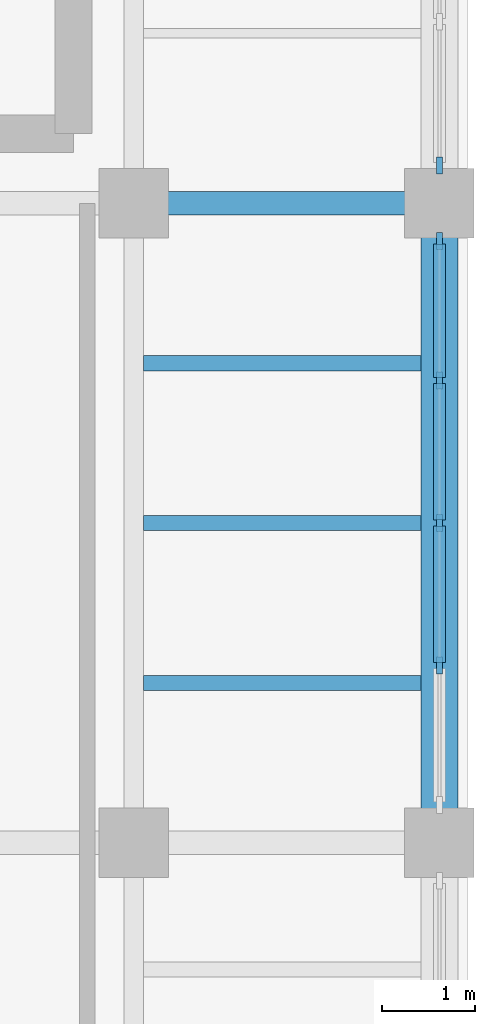
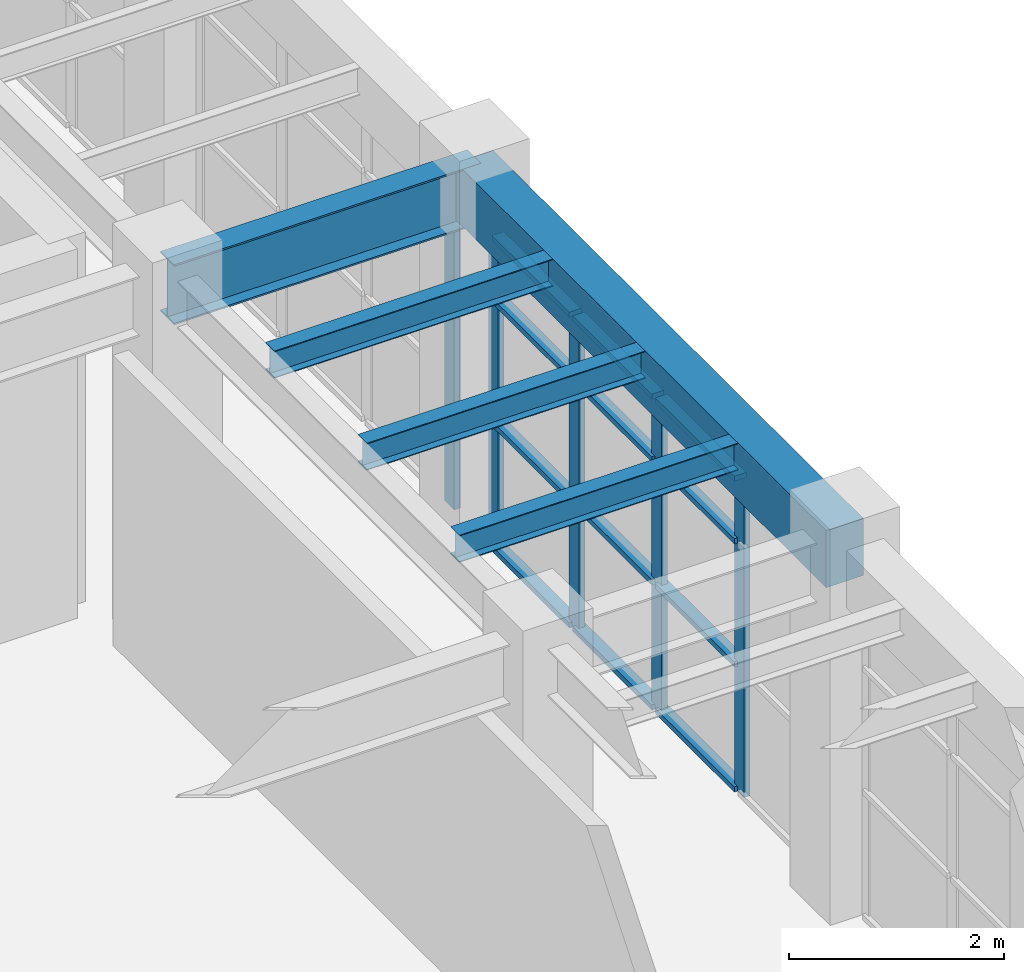
# One storey, part 41 of 85: 17 members, 5 beams, 2 elements without a shape of their own.
"""IFC4 building model written with IfcOpenShell, lengths in metres."""

import ifcopenshell
import ifcopenshell.guid

model = None  # the IFC model being written
_history = None  # IfcOwnerHistory: only IFC2X3 demands one
_inside = {}  # id of a spatial element -> (the spatial element, [elements in it])
_under = {}  # id of a project, library or spatial element -> (it, [spatial elements below it])
_declared = {}  # id of a project -> (the project, [libraries it declares])
_typed = {}  # id of a type object -> (the type object, [elements of that type])
_made_of = {}  # id of a material, layer set ... -> (it, [elements and type objects made of it])


def new_model(schema):
    """Start an empty IFC model of exactly this schema.

    Asked for "IFC4X3", IfcOpenShell would pick the latest addendum, in which some entities
    have other attributes; the version numbers below select the first issue.
    IFC2X3 requires an IfcOwnerHistory on every rooted entity: one is made here for all.
    """
    global model, _history
    if schema == "IFC4X3":
        model = ifcopenshell.file(schema_version=(4, 3, 0, 0))
    else:
        model = ifcopenshell.file(schema=schema)
    _inside.clear()
    _under.clear()
    _declared.clear()
    _typed.clear()
    _made_of.clear()
    _history = None
    if model.schema == "IFC2X3":
        org = make("IfcOrganization", Name="unknown")
        user = make(
            "IfcPersonAndOrganization",
            ThePerson=make("IfcPerson", FamilyName="unknown"),
            TheOrganization=org,
        )
        app = make(
            "IfcApplication",
            ApplicationDeveloper=org,
            Version="unknown",
            ApplicationFullName="unknown",
            ApplicationIdentifier="unknown",
        )
        _history = make(
            "IfcOwnerHistory",
            OwningUser=user,
            OwningApplication=app,
            ChangeAction="ADDED",
            CreationDate=0,
        )
    return model


def make(cls, **values):
    """One entity of the class cls with the attributes given. An attribute that is None is left unset."""
    return model.create_entity(
        cls, **{name: value for name, value in values.items() if value is not None}
    )


def rooted(cls, **values):
    """An entity with a GlobalId (a new one), such as an element, a storey or a relation."""
    return make(cls, GlobalId=ifcopenshell.guid.new(), OwnerHistory=_history, **values)


def si_unit(unit_type, name, prefix=None):
    """IfcSIUnit, for example si_unit("LENGTHUNIT", "METRE", prefix="MILLI")."""
    return make("IfcSIUnit", UnitType=unit_type, Prefix=prefix, Name=name)


def assignment(units):
    """IfcUnitAssignment: the units of a project."""
    return None if units is None else make("IfcUnitAssignment", Units=units)


def point(xyz):
    """IfcCartesianPoint."""
    return None if xyz is None else make("IfcCartesianPoint", Coordinates=xyz)


def direction(xyz):
    """IfcDirection."""
    return None if xyz is None else make("IfcDirection", DirectionRatios=xyz)


def frame(location, z_axis=None, x_axis=None):
    """IfcAxis2Placement3D, a coordinate frame: its origin and axes. An axis left out is left unset."""
    return make(
        "IfcAxis2Placement3D",
        Location=point(location),
        Axis=direction(z_axis),
        RefDirection=direction(x_axis),
    )


def frame_2d(location, x_axis=None):
    """IfcAxis2Placement2D, a coordinate frame in the plane: its origin and x axis."""
    return make(
        "IfcAxis2Placement2D", Location=point(location), RefDirection=direction(x_axis)
    )


def origin():
    """The frame at (0, 0, 0) with its axes left unset."""
    return frame((0.0, 0.0, 0.0))


def origin_2d():
    """The frame at (0, 0) in the plane with its x axis left unset."""
    return frame_2d((0.0, 0.0))


def place(relative_to, where):
    """IfcLocalPlacement: puts the frame where relative to a parent placement (None: the world)."""
    return make(
        "IfcLocalPlacement", PlacementRelTo=relative_to, RelativePlacement=where
    )


def context(
    kind, dimensions, precision=None, world=None, true_north=None, identifier=None
):
    """IfcGeometricRepresentationContext, for example the 3D "Model" context."""
    return make(
        "IfcGeometricRepresentationContext",
        ContextIdentifier=identifier,
        ContextType=kind,
        CoordinateSpaceDimension=dimensions,
        Precision=precision,
        WorldCoordinateSystem=world,
        TrueNorth=true_north,
    )


def subcontext(parent, identifier, kind, view, scale=None):
    """IfcGeometricRepresentationSubContext, for example "Body" below "Model"."""
    return make(
        "IfcGeometricRepresentationSubContext",
        ContextIdentifier=identifier,
        ContextType=kind,
        ParentContext=parent,
        TargetScale=scale,
        TargetView=view,
    )


def project(units=None, contexts=None):
    """IfcProject with its units and contexts."""
    return rooted(
        "IfcProject",
        Name="project",
        RepresentationContexts=contexts,
        UnitsInContext=assignment(units),
    )


def spatial(cls, under=None, at=None, **own):
    """A site, building, storey or space (cls), placed at a placement, below another one or the project."""
    s = rooted(cls, ObjectPlacement=at, **own)
    if under is not None:
        _under.setdefault(under.id(), (under, []))[1].append(s)
    return s


def profile(cls, at=None, kind="AREA", **sizes):
    """A parametric profile (cls). Its sizes go by their IFC names, for example OverallWidth=200.0."""
    return make(cls, ProfileType=kind, Position=at, **sizes)


def rectangle(**sizes):
    """IfcRectangleProfileDef."""
    return profile("IfcRectangleProfileDef", **sizes)


def i_section(**sizes):
    """IfcIShapeProfileDef."""
    return profile("IfcIShapeProfileDef", **sizes)


def extrude(swept, where, along, depth):
    """IfcExtrudedAreaSolid: the profile swept, set in the frame where, extruded along a direction by depth."""
    return make(
        "IfcExtrudedAreaSolid",
        SweptArea=swept,
        Position=where,
        ExtrudedDirection=direction(along),
        Depth=depth,
    )


def shape(context_of_items, identifier, shape_type, items):
    """IfcShapeRepresentation: the items that make up one representation, for example the "Body"."""
    return make(
        "IfcShapeRepresentation",
        ContextOfItems=context_of_items,
        RepresentationIdentifier=identifier,
        RepresentationType=shape_type,
        Items=items,
    )


def material(Name=None, Category=None):
    """IfcMaterial."""
    return make("IfcMaterial", Name=Name, Category=Category)


def layer(
    of_material, thickness, ventilated=None, Name=None, Category=None, Priority=None
):
    """IfcMaterialLayer: one layer of a wall or slab, of a material (None: an air gap)."""
    return make(
        "IfcMaterialLayer",
        Material=of_material,
        LayerThickness=thickness,
        IsVentilated=ventilated,
        Name=Name,
        Category=Category,
        Priority=Priority,
    )


def layer_set(layers, Name=None):
    """IfcMaterialLayerSet."""
    return make("IfcMaterialLayerSet", MaterialLayers=layers, LayerSetName=Name)


def material_profile(
    of_material, cross_section, Name=None, Category=None, Priority=None
):
    """IfcMaterialProfile: a cross section and its material."""
    return make(
        "IfcMaterialProfile",
        Name=Name,
        Material=of_material,
        Profile=cross_section,
        Priority=Priority,
        Category=Category,
    )


def profile_set(profiles, Name=None, composite=None):
    """IfcMaterialProfileSet."""
    return make(
        "IfcMaterialProfileSet",
        Name=Name,
        MaterialProfiles=profiles,
        CompositeProfile=composite,
    )


def made_of(thing, what):
    """Note that an element or type object is made of a material, layer set ...; save() writes the relation."""
    if what is not None:
        _made_of.setdefault(what.id(), (what, []))[1].append(thing)
    return thing


def type_object(cls, material=None, **own):
    """A type object (cls), such as IfcWallType, which elements share."""
    return made_of(rooted(cls, **own), material)


def element(
    cls,
    number,
    at=None,
    inside=None,
    cuts=None,
    type_object=None,
    material=None,
    context=None,
    identifier="Body",
    shape_type=None,
    held_by="IfcProductDefinitionShape",
    body=None,
    shapes=None,
    **own,
):
    """One element of the class cls, such as IfcWall. Its Tag is "e" and its number.

    at: its placement. inside: the storey or other place that contains it. cuts: it is an
    opening in that element (IfcRelVoidsElement). A single representation is given by context,
    identifier, shape_type and body (its items); several are given by shapes. held_by: the class
    of the entity that holds the representations. save() writes the other relations.
    """
    e = rooted(cls, Tag="e%d" % number, ObjectPlacement=at, **own)
    if body is not None:
        shapes = [shape(context, identifier, shape_type, body)]
    if shapes is not None:
        e.Representation = make(held_by, Representations=shapes)
    if inside is not None:
        _inside.setdefault(inside.id(), (inside, []))[1].append(e)
    if cuts is not None:
        rooted(
            "IfcRelVoidsElement", RelatingBuildingElement=cuts, RelatedOpeningElement=e
        )
    if type_object is not None:
        _typed.setdefault(type_object.id(), (type_object, []))[1].append(e)
    return made_of(e, material)


def aggregate(whole, parts):
    """IfcRelAggregates: a whole, such as a stair, and the parts it consists of."""
    return rooted("IfcRelAggregates", RelatingObject=whole, RelatedObjects=parts)


def save(model, path):
    """Write the relations noted so far, then the file.

    IfcRelAggregates (storeys below a building ...), IfcRelContainedInSpatialStructure (elements
    in a storey), IfcRelDefinesByType, IfcRelAssociatesMaterial and IfcRelDeclares: one each for
    every whole, place, type object, material and project.
    """
    for whole, parts in _under.values():
        aggregate(whole, parts)
    for where, things in _inside.values():
        rooted(
            "IfcRelContainedInSpatialStructure",
            RelatedElements=things,
            RelatingStructure=where,
        )
    for kind, things in _typed.values():
        rooted("IfcRelDefinesByType", RelatedObjects=things, RelatingType=kind)
    for what, things in _made_of.values():
        rooted("IfcRelAssociatesMaterial", RelatedObjects=things, RelatingMaterial=what)
    for by, libraries in _declared.values():
        rooted("IfcRelDeclares", RelatingContext=by, RelatedDefinitions=libraries)
    model.write(path)


model = new_model("IFC4")

# Units and contexts
model_context = context("Model", 3, precision=1e-05, world=origin(), true_north=direction((0.0, 1.0)))
body_context = subcontext(model_context, "Body", "Model", "MODEL_VIEW")
ifc_project = project(units=[si_unit("LENGTHUNIT", "METRE"), si_unit("AREAUNIT", "SQUARE_METRE"), si_unit("VOLUMEUNIT", "CUBIC_METRE"), si_unit("PLANEANGLEUNIT", "RADIAN"), si_unit("MASSUNIT", "GRAM", prefix="KILO")], contexts=[model_context])

# Site, building, storey
site_placement = place(None, origin())
site = spatial("IfcSite", under=ifc_project, at=site_placement, CompositionType="ELEMENT")
building_placement = place(site_placement, origin())
building = spatial("IfcBuilding", under=site, at=building_placement, Name="Candilejo Ridge Gondola Terminal", CompositionType="ELEMENT")
storey_placement = place(building_placement, frame((0.0, 0.0, 4.5)))
storey = spatial("IfcBuildingStorey", under=building, at=storey_placement, Name="L01", CompositionType="ELEMENT", Elevation=4.5)

# Curtain wall, members
ifc_material_1 = material(Name="Anodised aluminium AA 6063-T6", Category="aluminium")
ifc_layer_1 = layer(ifc_material_1, 0.169921875)
ifc_layer_set_1 = layer_set([ifc_layer_1], Name="ARC-CW-HALL-3800-615X359")
curtain_wall_type_1 = type_object("IfcCurtainWallType", Name="ARC-CW-HALL-3800-615X359", PredefinedType="NOTDEFINED", material=ifc_layer_set_1)
curtain_wall_1_placement = place(storey_placement, origin())
curtain_wall_1 = element("IfcCurtainWall", 1, at=curtain_wall_1_placement, inside=storey, type_object=curtain_wall_type_1, Name="Curtain wall V4 L01-118", PredefinedType="NOTDEFINED")
ifc_material_2 = material(Name="Anodised aluminium AA 6063-T6", Category="aluminium")
ifc_material_profile_1 = material_profile(ifc_material_2, rectangle(XDim=0.06494140625, YDim=0.179931640625, at=origin_2d()))
ifc_profile_set_1 = profile_set([ifc_material_profile_1], Name="Anodised aluminium AA 6063-T6")
member_type_1 = type_object("IfcMemberType", Name="ARC-CW-MULLION-180", PredefinedType="MULLION", material=ifc_profile_set_1)
member_1_placement = place(storey_placement, frame((175.300048828125, 31.71240234375, 0.0), z_axis=(0.0, 0.0, 1.0), x_axis=(-1.0, 0.0, 0.0)))
member_1 = element("IfcMember", 2, at=member_1_placement, type_object=member_type_1, Name="CW-61X35 mullion 2", PredefinedType="MULLION", context=body_context, shape_type="SweptSolid", body=[
    extrude(rectangle(XDim=0.06494140625, YDim=0.179931640625, at=origin_2d()), origin(), (0.0, 0.0, 1.0), 3.590087890625),
])
member_2_placement = place(storey_placement, frame((175.300048828125, 33.25, 0.0), z_axis=(0.0, 0.0, 1.0), x_axis=(-1.0, 0.0, 0.0)))
member_2 = element("IfcMember", 3, at=member_2_placement, type_object=member_type_1, Name="CW-61X35 mullion 3", PredefinedType="MULLION", context=body_context, shape_type="SweptSolid", body=[
    extrude(rectangle(XDim=0.06494140625, YDim=0.179931640625, at=origin_2d()), origin(), (0.0, 0.0, 1.0), 3.590087890625),
])
member_3_placement = place(storey_placement, frame((175.300048828125, 34.78759765625, 0.0), z_axis=(0.0, 0.0, 1.0), x_axis=(-1.0, 0.0, 0.0)))
member_3 = element("IfcMember", 4, at=member_3_placement, type_object=member_type_1, Name="CW-61X35 mullion 4", PredefinedType="MULLION", context=body_context, shape_type="SweptSolid", body=[
    extrude(rectangle(XDim=0.06494140625, YDim=0.179931640625, at=origin_2d()), origin(), (0.0, 0.0, 1.0), 3.590087890625),
])
member_4_placement = place(storey_placement, frame((175.300048828125, 36.29248046875, 0.0), z_axis=(0.0, 0.0, 1.0), x_axis=(-1.0, 0.0, 0.0)))
member_4 = element("IfcMember", 5, at=member_4_placement, type_object=member_type_1, Name="CW-61X35 mullion 5", PredefinedType="MULLION", context=body_context, shape_type="SweptSolid", body=[
    extrude(rectangle(XDim=0.06494140625, YDim=0.179931640625, at=origin_2d()), origin(), (0.0, 0.0, 1.0), 3.590087890625),
])

# Curtain wall, member
ifc_material_3 = material(Name="Anodised aluminium AA 6063-T6", Category="aluminium")
ifc_layer_2 = layer(ifc_material_3, 0.169921875)
ifc_layer_set_2 = layer_set([ifc_layer_2], Name="ARC-CW-HALL-3800-475X359")
curtain_wall_type_2 = type_object("IfcCurtainWallType", Name="ARC-CW-HALL-3800-475X359", PredefinedType="NOTDEFINED", material=ifc_layer_set_2)
curtain_wall_2_placement = place(storey_placement, origin())
curtain_wall_2 = element("IfcCurtainWall", 6, at=curtain_wall_2_placement, inside=storey, type_object=curtain_wall_type_2, Name="Curtain wall V4 L01-119", PredefinedType="NOTDEFINED")
member_5_placement = place(storey_placement, frame((175.300048828125, 37.107421875, 0.0), z_axis=(0.0, 0.0, 1.0), x_axis=(-1.0, 0.0, 0.0)))
member_5 = element("IfcMember", 7, at=member_5_placement, type_object=member_type_1, Name="CW-47X35 mullion 1", PredefinedType="MULLION", context=body_context, shape_type="SweptSolid", body=[
    extrude(rectangle(XDim=0.06494140625, YDim=0.179931640625, at=origin_2d()), origin(), (0.0, 0.0, 1.0), 3.590087890625),
])
aggregate(curtain_wall_2, [member_5])

# Member
ifc_material_4 = material(Name="Anodised aluminium AA 6063-T6", Category="aluminium")
ifc_material_profile_2 = material_profile(ifc_material_4, rectangle(XDim=0.1298828125, YDim=0.06005859375, at=origin_2d()))
ifc_profile_set_2 = profile_set([ifc_material_profile_2], Name="Anodised aluminium AA 6063-T6")
member_type_2 = type_object("IfcMemberType", Name="ARC-CW-TRANSOM-130", PredefinedType="USERDEFINED", material=ifc_profile_set_2)
member_6_placement = place(storey_placement, frame((175.300048828125, 31.7451171875, 0.030029296875), z_axis=(0.0, 1.0, 0.0), x_axis=(-1.0, 0.0, 0.0)))
member_6 = element("IfcMember", 8, at=member_6_placement, type_object=member_type_2, Name="CW-61X35 transom 2.1", ObjectType="TRANSOM", PredefinedType="USERDEFINED", context=body_context, shape_type="SweptSolid", body=[
    extrude(rectangle(XDim=0.1298828125, YDim=0.06005859375, at=origin_2d()), origin(), (0.0, 0.0, 1.0), 1.472412109375),
])

member_7_placement = place(storey_placement, frame((175.300048828125, 31.7451171875, 1.449951171875), z_axis=(0.0, 1.0, 0.0), x_axis=(-1.0, 0.0, 0.0)))
member_7 = element("IfcMember", 9, at=member_7_placement, type_object=member_type_2, Name="CW-61X35 transom 2.2", ObjectType="TRANSOM", PredefinedType="USERDEFINED", context=body_context, shape_type="SweptSolid", body=[
    extrude(rectangle(XDim=0.1298828125, YDim=0.06005859375, at=origin_2d()), origin(), (0.0, 0.0, 1.0), 1.472412109375),
])

member_8_placement = place(storey_placement, frame((175.300048828125, 31.7451171875, 2.85009765625), z_axis=(0.0, 1.0, 0.0), x_axis=(-1.0, 0.0, 0.0)))
member_8 = element("IfcMember", 10, at=member_8_placement, type_object=member_type_2, Name="CW-61X35 transom 2.3", ObjectType="TRANSOM", PredefinedType="USERDEFINED", context=body_context, shape_type="SweptSolid", body=[
    extrude(rectangle(XDim=0.1298828125, YDim=0.06005859375, at=origin_2d()), origin(), (0.0, 0.0, 1.0), 1.472412109375),
])

member_9_placement = place(storey_placement, frame((175.300048828125, 31.7451171875, 3.56005859375), z_axis=(0.0, 1.0, 0.0), x_axis=(-1.0, 0.0, 0.0)))
member_9 = element("IfcMember", 11, at=member_9_placement, type_object=member_type_2, Name="CW-61X35 transom 2.4", ObjectType="TRANSOM", PredefinedType="USERDEFINED", context=body_context, shape_type="SweptSolid", body=[
    extrude(rectangle(XDim=0.1298828125, YDim=0.06005859375, at=origin_2d()), origin(), (0.0, 0.0, 1.0), 1.472412109375),
])

member_10_placement = place(storey_placement, frame((175.300048828125, 33.282470703125, 0.030029296875), z_axis=(0.0, 1.0, 0.0), x_axis=(-1.0, 0.0, 0.0)))
member_10 = element("IfcMember", 12, at=member_10_placement, type_object=member_type_2, Name="CW-61X35 transom 3.1", ObjectType="TRANSOM", PredefinedType="USERDEFINED", context=body_context, shape_type="SweptSolid", body=[
    extrude(rectangle(XDim=0.1298828125, YDim=0.06005859375, at=origin_2d()), origin(), (0.0, 0.0, 1.0), 1.472412109375),
])

member_11_placement = place(storey_placement, frame((175.300048828125, 33.282470703125, 1.449951171875), z_axis=(0.0, 1.0, 0.0), x_axis=(-1.0, 0.0, 0.0)))
member_11 = element("IfcMember", 13, at=member_11_placement, type_object=member_type_2, Name="CW-61X35 transom 3.2", ObjectType="TRANSOM", PredefinedType="USERDEFINED", context=body_context, shape_type="SweptSolid", body=[
    extrude(rectangle(XDim=0.1298828125, YDim=0.06005859375, at=origin_2d()), origin(), (0.0, 0.0, 1.0), 1.472412109375),
])

member_12_placement = place(storey_placement, frame((175.300048828125, 33.282470703125, 2.85009765625), z_axis=(0.0, 1.0, 0.0), x_axis=(-1.0, 0.0, 0.0)))
member_12 = element("IfcMember", 14, at=member_12_placement, type_object=member_type_2, Name="CW-61X35 transom 3.3", ObjectType="TRANSOM", PredefinedType="USERDEFINED", context=body_context, shape_type="SweptSolid", body=[
    extrude(rectangle(XDim=0.1298828125, YDim=0.06005859375, at=origin_2d()), origin(), (0.0, 0.0, 1.0), 1.472412109375),
])

member_13_placement = place(storey_placement, frame((175.300048828125, 33.282470703125, 3.56005859375), z_axis=(0.0, 1.0, 0.0), x_axis=(-1.0, 0.0, 0.0)))
member_13 = element("IfcMember", 15, at=member_13_placement, type_object=member_type_2, Name="CW-61X35 transom 3.4", ObjectType="TRANSOM", PredefinedType="USERDEFINED", context=body_context, shape_type="SweptSolid", body=[
    extrude(rectangle(XDim=0.1298828125, YDim=0.06005859375, at=origin_2d()), origin(), (0.0, 0.0, 1.0), 1.472412109375),
])

member_14_placement = place(storey_placement, frame((175.300048828125, 34.820068359375, 0.030029296875), z_axis=(0.0, 1.0, 0.0), x_axis=(-1.0, 0.0, 0.0)))
member_14 = element("IfcMember", 16, at=member_14_placement, type_object=member_type_2, Name="CW-61X35 transom 4.1", ObjectType="TRANSOM", PredefinedType="USERDEFINED", context=body_context, shape_type="SweptSolid", body=[
    extrude(rectangle(XDim=0.1298828125, YDim=0.06005859375, at=origin_2d()), origin(), (0.0, 0.0, 1.0), 1.43994140625),
])

member_15_placement = place(storey_placement, frame((175.300048828125, 34.820068359375, 1.449951171875), z_axis=(0.0, 1.0, 0.0), x_axis=(-1.0, 0.0, 0.0)))
member_15 = element("IfcMember", 17, at=member_15_placement, type_object=member_type_2, Name="CW-61X35 transom 4.2", ObjectType="TRANSOM", PredefinedType="USERDEFINED", context=body_context, shape_type="SweptSolid", body=[
    extrude(rectangle(XDim=0.1298828125, YDim=0.06005859375, at=origin_2d()), origin(), (0.0, 0.0, 1.0), 1.43994140625),
])

member_16_placement = place(storey_placement, frame((175.300048828125, 34.820068359375, 2.85009765625), z_axis=(0.0, 1.0, 0.0), x_axis=(-1.0, 0.0, 0.0)))
member_16 = element("IfcMember", 18, at=member_16_placement, type_object=member_type_2, Name="CW-61X35 transom 4.3", ObjectType="TRANSOM", PredefinedType="USERDEFINED", context=body_context, shape_type="SweptSolid", body=[
    extrude(rectangle(XDim=0.1298828125, YDim=0.06005859375, at=origin_2d()), origin(), (0.0, 0.0, 1.0), 1.43994140625),
])

member_17_placement = place(storey_placement, frame((175.300048828125, 34.820068359375, 3.56005859375), z_axis=(0.0, 1.0, 0.0), x_axis=(-1.0, 0.0, 0.0)))
member_17 = element("IfcMember", 19, at=member_17_placement, type_object=member_type_2, Name="CW-61X35 transom 4.4", ObjectType="TRANSOM", PredefinedType="USERDEFINED", context=body_context, shape_type="SweptSolid", body=[
    extrude(rectangle(XDim=0.1298828125, YDim=0.06005859375, at=origin_2d()), origin(), (0.0, 0.0, 1.0), 1.43994140625),
])

aggregate(curtain_wall_1, [member_1, member_2, member_3, member_4, member_6, member_7, member_8, member_9, member_10, member_11, member_12, member_13, member_14, member_15, member_16, member_17])

# Beams
ifc_material_5 = material(Name="Steel ASTM A992 Grade 50", Category="steel")
ifc_material_profile_3 = material_profile(ifc_material_5, i_section(OverallWidth=0.25390625, OverallDepth=0.68408203125, WebThickness=0.012451171875, FlangeThickness=0.018798828125, at=origin_2d()))
ifc_profile_set_3 = profile_set([ifc_material_profile_3], Name="Steel ASTM A992 Grade 50")
beam_type_1 = type_object("IfcBeamType", Name="STR-BM-W690X140", PredefinedType="BEAM", material=ifc_profile_set_3)
beam_1_placement = place(storey_placement, frame((172.0, 36.699951171875, 3.85791015625), z_axis=(1.0, 0.0, 0.0), x_axis=(0.0, 1.0, 0.0)))
element("IfcBeam", 20, at=beam_1_placement, inside=storey, type_object=beam_type_1, Name="Beam X V4 L01 X26-X27@Y07", PredefinedType="BEAM", context=body_context, shape_type="SweptSolid", body=[
    extrude(i_section(OverallWidth=0.25390625, OverallDepth=0.68408203125, WebThickness=0.012451171875, FlangeThickness=0.018798828125, at=origin_2d()), origin(), (0.0, 0.0, 1.0), 3.300048828125),
])
ifc_material_6 = material(Name="Steel ASTM A992 Grade 50", Category="steel")
ifc_material_profile_4 = material_profile(ifc_material_6, i_section(OverallWidth=0.1650390625, OverallDepth=0.31005859375, WebThickness=0.005859375, FlangeThickness=0.009765625, at=origin_2d()))
ifc_profile_set_4 = profile_set([ifc_material_profile_4], Name="Steel ASTM A992 Grade 50")
beam_type_2 = type_object("IfcBeamType", Name="STR-JST-W310X39", PredefinedType="JOIST", material=ifc_profile_set_4)
for number, where, z_axis, x_axis, name in (
    (21, (172.10546875, 31.52490234375, 4.044921875), (1.0, 0.0, 0.0), (0.0, 1.0, 0.0), "Composite joist V4 L01-0914"),
    (22, (172.10546875, 33.25, 4.044921875), (1.0, 0.0, 0.0), (0.0, 1.0, 0.0), "Composite joist V4 L01-0915"),
    (23, (172.10546875, 34.97509765625, 4.044921875), (1.0, 0.0, 0.0), (0.0, 1.0, 0.0), "Composite joist V4 L01-0916"),
):
    element("IfcBeam", number, at=place(storey_placement, frame(where, z_axis=z_axis, x_axis=x_axis)), inside=storey, type_object=beam_type_2, Name=name, PredefinedType="JOIST", context=body_context, shape_type="SweptSolid", body=[
        extrude(i_section(OverallWidth=0.1650390625, OverallDepth=0.31005859375, WebThickness=0.005859375, FlangeThickness=0.009765625, at=origin_2d()), origin(), (0.0, 0.0, 1.0), 2.99462890625),
    ])
ifc_material_7 = material(Name="Concrete f'c 35 MPa (C35/45)", Category="concrete")
ifc_material_profile_5 = material_profile(ifc_material_7, rectangle(XDim=0.39990234375, YDim=0.64990234375, at=origin_2d()))
ifc_profile_set_5 = profile_set([ifc_material_profile_5], Name="Concrete f'c 35 MPa (C35/45)")
beam_type_3 = type_object("IfcBeamType", Name="STR-SPN-RC400X650", PredefinedType="SPANDREL", material=ifc_profile_set_5)
beam_2_placement = place(storey_placement, frame((175.300048828125, 29.800048828125, 3.875), z_axis=(0.0, 1.0, 0.0), x_axis=(-1.0, 0.0, 0.0)))
element("IfcBeam", 24, at=beam_2_placement, inside=storey, type_object=beam_type_3, Name="Beam Y V4 L01 Y06-Y07@X27", PredefinedType="SPANDREL", context=body_context, shape_type="SweptSolid", body=[
    extrude(rectangle(XDim=0.39990234375, YDim=0.64990234375, at=origin_2d()), origin(), (0.0, 0.0, 1.0), 6.89990234375),
])

save(model, "model.ifc")
